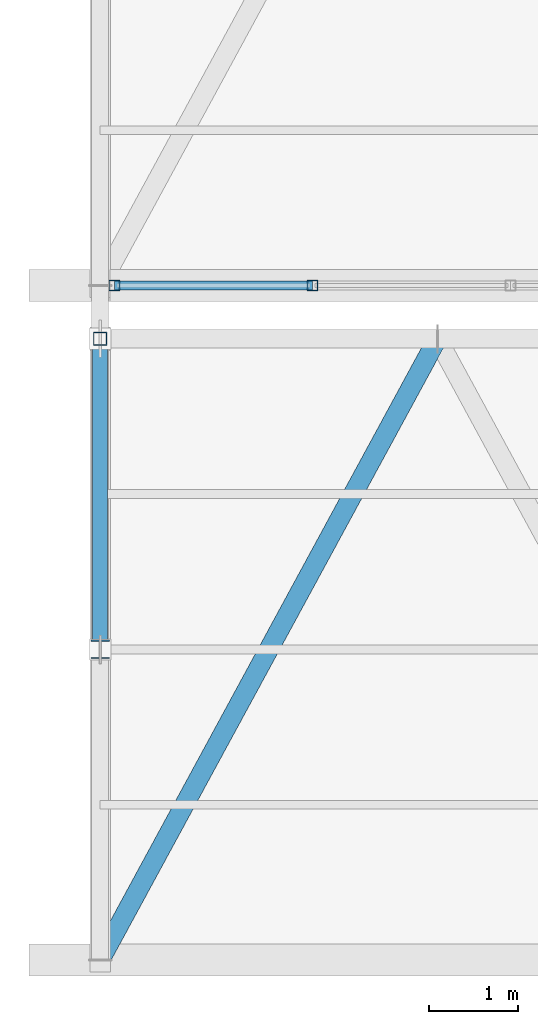
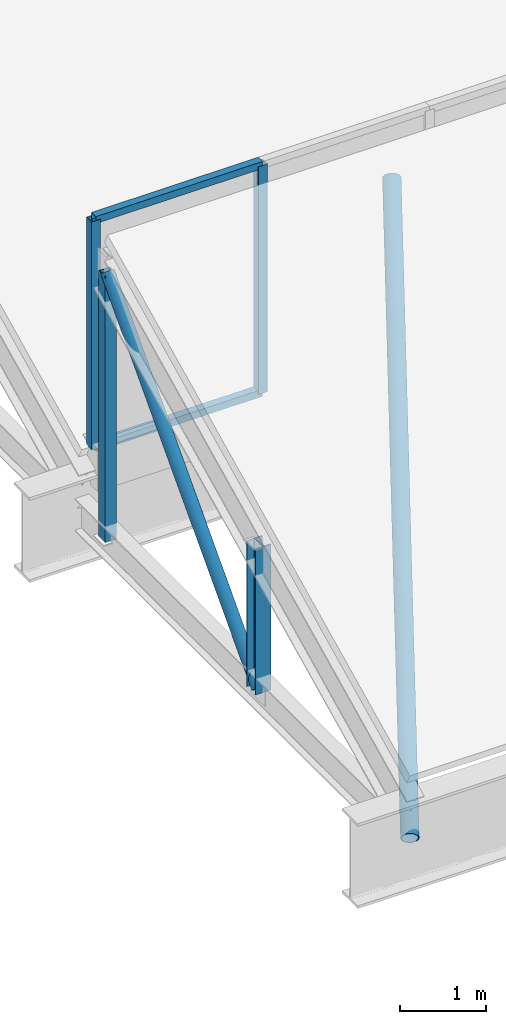
# One storey, part 4 of 57: 8 members, 1 element without a shape of its own.
"""IFC4 building model written with IfcOpenShell, lengths in metres."""

from ifc_helpers import new_model, si_unit, direction, frame, origin, origin_2d, place, context, subcontext, project, spatial, hollow_rectangle, hollow_circle, i_section, extrude, material, material_profile, profile_set, type_object, element, aggregate, save


model = new_model("IFC4")

# Units and contexts
model_context = context("Model", 3, precision=1e-05, world=origin(), true_north=direction((0.0, 1.0)))
body_context = subcontext(model_context, "Body", "Model", "MODEL_VIEW")
ifc_project = project(units=[si_unit("LENGTHUNIT", "METRE"), si_unit("AREAUNIT", "SQUARE_METRE"), si_unit("VOLUMEUNIT", "CUBIC_METRE"), si_unit("PLANEANGLEUNIT", "RADIAN"), si_unit("MASSUNIT", "GRAM", prefix="KILO")], contexts=[model_context])

# Site, building, storey
site_placement = place(None, origin())
site = spatial("IfcSite", under=ifc_project, at=site_placement, CompositionType="ELEMENT")
building_placement = place(site_placement, origin())
building = spatial("IfcBuilding", under=site, at=building_placement, Name="Zuvorla Pavilion Media Centre", CompositionType="ELEMENT")
storey_placement = place(building_placement, frame((0.0, 0.0, 18.0)))
storey = spatial("IfcBuildingStorey", under=building, at=storey_placement, Name="L04", CompositionType="ELEMENT", Elevation=18.0)

# Curtain wall, members
ifc_material_1 = material(Name="Unitised anodised aluminium and solar glass curtain wall", Category="aluminium")
curtain_wall_type = type_object("IfcCurtainWallType", Name="CW-SYS-90", PredefinedType="USERDEFINED", material=ifc_material_1)
curtain_wall_placement = place(storey_placement, origin())
curtain_wall = element("IfcCurtainWall", 1, at=curtain_wall_placement, inside=storey, type_object=curtain_wall_type, Name="L04 curtain wall CW90 224", ObjectType="CURTAIN WALL", PredefinedType="USERDEFINED")
ifc_material_2 = material(Name="Anodised aluminium 6063-T6", Category="aluminium")
ifc_material_profile_1 = material_profile(ifc_material_2, hollow_rectangle(XDim=0.1201171875, YDim=0.1201171875, WallThickness=0.0048828125, at=origin_2d()), Name="ALU MULL 120x120")
ifc_profile_set_1 = profile_set([ifc_material_profile_1], Name="Anodised aluminium 6063-T6")
member_type_1 = type_object("IfcMemberType", Name="CW-MULL-120", PredefinedType="MULLION", material=ifc_profile_set_1)
member_1_placement = place(storey_placement, frame((118.159912109375, 13.60009765625, 0.0), z_axis=(0.0, 0.0, 1.0), x_axis=(1.0, 0.0, 0.0)))
member_1 = element("IfcMember", 2, at=member_1_placement, type_object=member_type_1, Name="CW90 mullion 1", PredefinedType="MULLION", context=body_context, shape_type="SweptSolid", body=[
    extrude(hollow_rectangle(XDim=0.1201171875, YDim=0.1201171875, WallThickness=0.0048828125, at=origin_2d()), origin(), (0.0, 0.0, 1.0), 3.219970703125),
])
member_2_placement = place(storey_placement, frame((120.391845703125, 13.60009765625, 0.0), z_axis=(0.0, 0.0, 1.0), x_axis=(1.0, 0.0, 0.0)))
member_2 = element("IfcMember", 3, at=member_2_placement, type_object=member_type_1, Name="CW90 mullion 2", PredefinedType="MULLION", context=body_context, shape_type="SweptSolid", body=[
    extrude(hollow_rectangle(XDim=0.1201171875, YDim=0.1201171875, WallThickness=0.0048828125, at=origin_2d()), origin(), (0.0, 0.0, 1.0), 3.219970703125),
])
ifc_material_profile_2 = material_profile(ifc_material_2, hollow_rectangle(XDim=0.10009765625, YDim=0.10009765625, WallThickness=0.00439453125, at=origin_2d()), Name="ALU TRAN 100x100")
ifc_profile_set_2 = profile_set([ifc_material_profile_2], Name="Anodised aluminium 6063-T6")
member_type_2 = type_object("IfcMemberType", Name="CW-TRAN-100", PredefinedType="USERDEFINED", material=ifc_profile_set_2)
member_3_placement = place(storey_placement, frame((118.159912109375, 13.60009765625, 0.0), z_axis=(1.0, 0.0, 0.0), x_axis=(0.0, 1.0, 0.0)))
member_3 = element("IfcMember", 4, at=member_3_placement, type_object=member_type_2, Name="CW90 transom 1.1", ObjectType="TRANSOM", PredefinedType="USERDEFINED", context=body_context, shape_type="SweptSolid", body=[
    extrude(hollow_rectangle(XDim=0.10009765625, YDim=0.10009765625, WallThickness=0.00439453125, at=origin_2d()), origin(), (0.0, 0.0, 1.0), 2.23193359375),
])
member_4_placement = place(storey_placement, frame((118.159912109375, 13.60009765625, 3.219970703125), z_axis=(1.0, 0.0, 0.0), x_axis=(0.0, 1.0, 0.0)))
member_4 = element("IfcMember", 5, at=member_4_placement, type_object=member_type_2, Name="CW90 transom 1.2", ObjectType="TRANSOM", PredefinedType="USERDEFINED", context=body_context, shape_type="SweptSolid", body=[
    extrude(hollow_rectangle(XDim=0.10009765625, YDim=0.10009765625, WallThickness=0.00439453125, at=origin_2d()), origin(), (0.0, 0.0, 1.0), 2.23193359375),
])
aggregate(curtain_wall, [member_1, member_2, member_3, member_4])

# Members
ifc_material_3 = material(Name="Steel S355", Category="steel")
ifc_material_profile_3 = material_profile(ifc_material_3, hollow_circle(Radius=0.084228515625, WallThickness=0.008056640625, at=origin_2d()), Name="CHS 168.3x8")
ifc_profile_set_3 = profile_set([ifc_material_profile_3], Name="Steel S355")
member_type_3 = type_object("IfcMemberType", Name="MEM-BRC-CHS168", PredefinedType="BRACE", material=ifc_profile_set_3)
member_5_placement = place(storey_placement, frame((118.0, 9.5, -0.8798828125), z_axis=(0.0, 0.681156069412, 0.732138244529), x_axis=(-1.0, 0.0, 0.0)))
element("IfcMember", 6, at=member_5_placement, inside=storey, type_object=member_type_3, Name="L04 diagonal brace TB03 501", PredefinedType="BRACE", context=body_context, shape_type="SweptSolid", body=[
    extrude(hollow_circle(Radius=0.084228515625, WallThickness=0.008056640625, at=origin_2d()), origin(), (0.0, 0.0, 1.0), 5.138427734375),
])
ifc_material_profile_4 = material_profile(ifc_material_3, hollow_circle(Radius=0.109619140625, WallThickness=0.010009765625, at=origin_2d()), Name="CHS 219.1x10")
ifc_profile_set_4 = profile_set([ifc_material_profile_4], Name="Steel S355")
member_type_4 = type_object("IfcMemberType", Name="MEM-BRC-CHS219", PredefinedType="BRACE", material=ifc_profile_set_4)
member_6_placement = place(storey_placement, frame((118.0, 6.0, -0.8798828125), z_axis=(0.431398513672, 0.79467126142, 0.427074827958), x_axis=(-0.878850861224, 0.477096597899, 0.0)))
element("IfcMember", 7, at=member_6_placement, inside=storey, type_object=member_type_4, Name="L04 diagonal brace TB02 529", PredefinedType="BRACE", context=body_context, shape_type="SweptSolid", body=[
    extrude(hollow_circle(Radius=0.109619140625, WallThickness=0.010009765625, at=origin_2d()), origin(), (0.0, 0.0, 1.0), 8.80859375),
])
ifc_material_profile_5 = material_profile(ifc_material_3, hollow_rectangle(XDim=0.14990234375, YDim=0.14990234375, WallThickness=0.008056640625, at=origin_2d()), Name="SHS 150x150x8")
ifc_profile_set_5 = profile_set([ifc_material_profile_5], Name="Steel S355")
member_type_5 = type_object("IfcMemberType", Name="MEM-STR-SHS150", PredefinedType="STRUT", material=ifc_profile_set_5)
member_7_placement = place(storey_placement, frame((118.0, 13.0, -0.8798828125), z_axis=(0.0, 0.0, 1.0), x_axis=(1.0, 0.0, 0.0)))
element("IfcMember", 8, at=member_7_placement, inside=storey, type_object=member_type_5, Name="L04 vertical strut TS01 500", PredefinedType="STRUT", context=body_context, shape_type="SweptSolid", body=[
    extrude(hollow_rectangle(XDim=0.14990234375, YDim=0.14990234375, WallThickness=0.008056640625, at=origin_2d()), origin(), (0.0, 0.0, 1.0), 3.761962890625),
])
ifc_material_profile_6 = material_profile(ifc_material_3, i_section(OverallWidth=0.205810546875, OverallDepth=0.209716796875, WebThickness=0.009521484375, FlangeThickness=0.01416015625, FilletRadius=0.01025390625, at=origin_2d()), Name="UC 203x203x60")
ifc_profile_set_6 = profile_set([ifc_material_profile_6], Name="Steel S355")
member_type_6 = type_object("IfcMemberType", Name="MEM-STR-UC203", PredefinedType="STRUT", material=ifc_profile_set_6)
member_8_placement = place(storey_placement, frame((118.0, 9.5, -0.8798828125), z_axis=(0.0, 0.0, 1.0), x_axis=(1.0, 0.0, 0.0)))
element("IfcMember", 9, at=member_8_placement, inside=storey, type_object=member_type_6, Name="L04 vertical strut TS02 502", PredefinedType="STRUT", context=body_context, shape_type="SweptSolid", body=[
    extrude(i_section(OverallWidth=0.205810546875, OverallDepth=0.209716796875, WebThickness=0.009521484375, FlangeThickness=0.01416015625, FilletRadius=0.01025390625, at=origin_2d()), origin(), (0.0, 0.0, 1.0), 2.06201171875),
])

save(model, "model.ifc")
